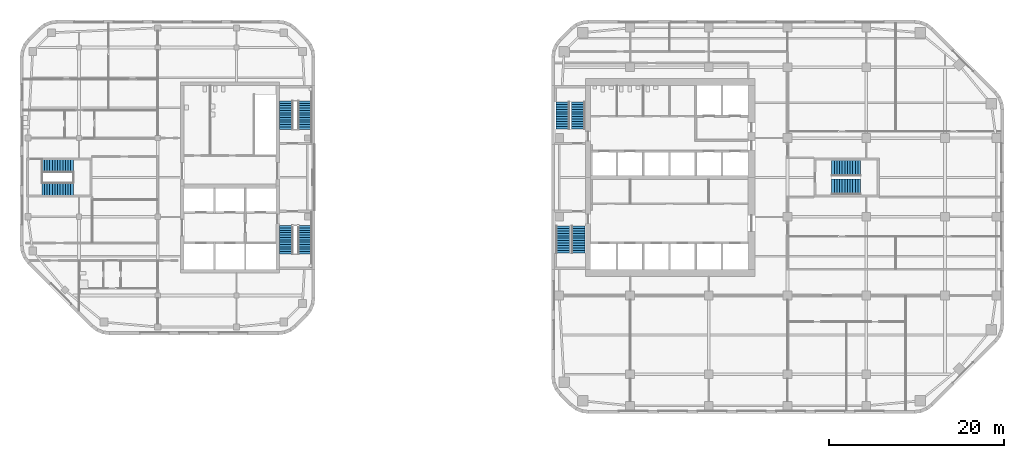
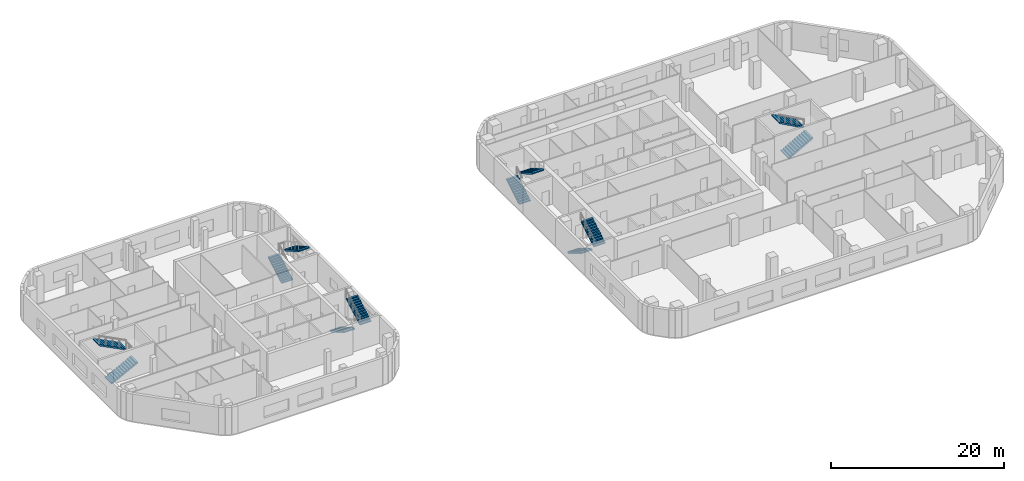
# One storey, part 11 of 14: 12 stair flights, 6 elements without a shape of their own.
"""IFC4 building model written with IfcOpenShell, lengths in metres."""

from ifc_helpers import new_model, si_unit, direction, frame, origin, place, context, subcontext, project, spatial, polyline, outline, extrude, material, type_object, element, aggregate, save


model = new_model("IFC4")

# Units and contexts
model_context = context("Model", 3, precision=1e-05, world=origin(), true_north=direction((0.0, 1.0)))
body_context = subcontext(model_context, "Body", "Model", "MODEL_VIEW")
ifc_project = project(units=[si_unit("LENGTHUNIT", "METRE"), si_unit("AREAUNIT", "SQUARE_METRE"), si_unit("VOLUMEUNIT", "CUBIC_METRE"), si_unit("PLANEANGLEUNIT", "RADIAN"), si_unit("MASSUNIT", "GRAM", prefix="KILO")], contexts=[model_context])

# Site, building, storey
site_placement = place(None, origin())
site = spatial("IfcSite", under=ifc_project, at=site_placement, CompositionType="ELEMENT")
building_placement = place(site_placement, origin())
building = spatial("IfcBuilding", under=site, at=building_placement, Name="Cinnabar Reach Civic Tower", CompositionType="ELEMENT")
storey_placement = place(building_placement, frame((0.0, 0.0, 116.0)))
storey = spatial("IfcBuildingStorey", under=building, at=storey_placement, Name="L27", CompositionType="ELEMENT", Elevation=116.0)

# Stair, stair flights
ifc_material_1 = material(Name="Concrete C40/50", Category="concrete")
stair_type_1 = type_object("IfcStairType", Name="T1 Exit stair, half-turn", PredefinedType="HALF_TURN_STAIR", material=ifc_material_1)
stair_1_placement = place(storey_placement, origin())
stair_1 = element("IfcStair", 1, at=stair_1_placement, inside=storey, type_object=stair_type_1, Name="Stair T1-S1", PredefinedType="HALF_TURN_STAIR")
stair_flight_type_1 = type_object("IfcStairFlightType", Name="T1 Stair flight, concrete", PredefinedType="STRAIGHT", material=ifc_material_1)
stair_flight_1_placement = place(storey_placement, frame((1.3125, 25.95, 0.0), z_axis=(0.0, 0.0, 1.0), x_axis=(0.0, -1.0, 0.0)))
stair_flight_1 = element("IfcStairFlight", 2, at=stair_flight_1_placement, type_object=stair_flight_type_1, Name="T1-S1 flight 1", NumberOfRisers=12, NumberOfTreads=11, PredefinedType="STRAIGHT", RiserHeight=0.166666667, TreadLength=0.28, context=body_context, shape_type="SweptSolid", body=[
    extrude(outline(polyline([(0.0, 0.0), (0.0, 0.1667), (0.28, 0.1667), (0.28, 0.3333), (0.56, 0.3333), (0.56, 0.5), (0.84, 0.5), (0.84, 0.6667), (1.12, 0.6667), (1.12, 0.8333), (1.4, 0.8333), (1.4, 1.0), (1.68, 1.0), (1.68, 1.1667), (1.96, 1.1667), (1.96, 1.3333), (2.24, 1.3333), (2.24, 1.5), (2.52, 1.5), (2.52, 1.6667), (2.8, 1.6667), (2.8, 1.8333), (3.08, 1.8333), (3.08, 2.0), (3.08, 1.6588), (0.2933, 0.0), (0.0, 0.0)])), frame((0.0, 0.7625, 0.0), z_axis=(0.0, -1.0, 0.0), x_axis=(1.0, 0.0, 0.0)), (0.0, 0.0, 1.0), 1.525),
])
stair_flight_2_placement = place(storey_placement, frame((3.0875, 22.87, 2.0), z_axis=(0.0, 0.0, 1.0), x_axis=(0.0, 1.0, 0.0)))
stair_flight_2 = element("IfcStairFlight", 3, at=stair_flight_2_placement, type_object=stair_flight_type_1, Name="T1-S1 flight 2", NumberOfRisers=12, NumberOfTreads=11, PredefinedType="STRAIGHT", RiserHeight=0.166666667, TreadLength=0.28, context=body_context, shape_type="SweptSolid", body=[
    extrude(outline(polyline([(0.0, 0.0), (0.0, 0.1667), (0.28, 0.1667), (0.28, 0.3333), (0.56, 0.3333), (0.56, 0.5), (0.84, 0.5), (0.84, 0.6667), (1.12, 0.6667), (1.12, 0.8333), (1.4, 0.8333), (1.4, 1.0), (1.68, 1.0), (1.68, 1.1667), (1.96, 1.1667), (1.96, 1.3333), (2.24, 1.3333), (2.24, 1.5), (2.52, 1.5), (2.52, 1.6667), (2.8, 1.6667), (2.8, 1.8333), (3.08, 1.8333), (3.08, 2.0), (3.08, 1.6588), (0.2933, 0.0), (0.0, 0.0)])), frame((0.0, 0.7625, 0.0), z_axis=(0.0, -1.0, 0.0), x_axis=(1.0, 0.0, 0.0)), (0.0, 0.0, 1.0), 1.525),
])
aggregate(stair_1, [stair_flight_1, stair_flight_2])

stair_2_placement = place(storey_placement, origin())
stair_2 = element("IfcStair", 4, at=stair_2_placement, inside=storey, type_object=stair_type_1, Name="Stair T1-S2", PredefinedType="HALF_TURN_STAIR")
stair_flight_3_placement = place(storey_placement, frame((1.3125, 37.05, 0.0), z_axis=(0.0, 0.0, 1.0), x_axis=(0.0, 1.0, 0.0)))
stair_flight_3 = element("IfcStairFlight", 5, at=stair_flight_3_placement, type_object=stair_flight_type_1, Name="T1-S2 flight 1", NumberOfRisers=12, NumberOfTreads=11, PredefinedType="STRAIGHT", RiserHeight=0.166666667, TreadLength=0.28, context=body_context, shape_type="SweptSolid", body=[
    extrude(outline(polyline([(0.0, 0.0), (0.0, 0.1667), (0.28, 0.1667), (0.28, 0.3333), (0.56, 0.3333), (0.56, 0.5), (0.84, 0.5), (0.84, 0.6667), (1.12, 0.6667), (1.12, 0.8333), (1.4, 0.8333), (1.4, 1.0), (1.68, 1.0), (1.68, 1.1667), (1.96, 1.1667), (1.96, 1.3333), (2.24, 1.3333), (2.24, 1.5), (2.52, 1.5), (2.52, 1.6667), (2.8, 1.6667), (2.8, 1.8333), (3.08, 1.8333), (3.08, 2.0), (3.08, 1.6588), (0.2933, 0.0), (0.0, 0.0)])), frame((0.0, 0.7625, 0.0), z_axis=(0.0, -1.0, 0.0), x_axis=(1.0, 0.0, 0.0)), (0.0, 0.0, 1.0), 1.525),
])
stair_flight_4_placement = place(storey_placement, frame((3.0875, 40.13, 2.0), z_axis=(0.0, 0.0, 1.0), x_axis=(0.0, -1.0, 0.0)))
stair_flight_4 = element("IfcStairFlight", 6, at=stair_flight_4_placement, type_object=stair_flight_type_1, Name="T1-S2 flight 2", NumberOfRisers=12, NumberOfTreads=11, PredefinedType="STRAIGHT", RiserHeight=0.166666667, TreadLength=0.28, context=body_context, shape_type="SweptSolid", body=[
    extrude(outline(polyline([(0.0, 0.0), (0.0, 0.1667), (0.28, 0.1667), (0.28, 0.3333), (0.56, 0.3333), (0.56, 0.5), (0.84, 0.5), (0.84, 0.6667), (1.12, 0.6667), (1.12, 0.8333), (1.4, 0.8333), (1.4, 1.0), (1.68, 1.0), (1.68, 1.1667), (1.96, 1.1667), (1.96, 1.3333), (2.24, 1.3333), (2.24, 1.5), (2.52, 1.5), (2.52, 1.6667), (2.8, 1.6667), (2.8, 1.8333), (3.08, 1.8333), (3.08, 2.0), (3.08, 1.6588), (0.2933, 0.0), (0.0, 0.0)])), frame((0.0, 0.7625, 0.0), z_axis=(0.0, -1.0, 0.0), x_axis=(1.0, 0.0, 0.0)), (0.0, 0.0, 1.0), 1.525),
])
aggregate(stair_2, [stair_flight_3, stair_flight_4])

stair_3_placement = place(storey_placement, origin())
stair_3 = element("IfcStair", 7, at=stair_3_placement, inside=storey, type_object=stair_type_1, Name="Stair T1-S3", PredefinedType="HALF_TURN_STAIR")
stair_flight_5_placement = place(storey_placement, frame((32.05, 30.45, 0.0), z_axis=(0.0, 0.0, 1.0), x_axis=(1.0, 0.0, 0.0)))
stair_flight_5 = element("IfcStairFlight", 8, at=stair_flight_5_placement, type_object=stair_flight_type_1, Name="T1-S3 flight 1", NumberOfRisers=12, NumberOfTreads=11, PredefinedType="STRAIGHT", RiserHeight=0.166666667, TreadLength=0.3, context=body_context, shape_type="SweptSolid", body=[
    extrude(outline(polyline([(0.0, 0.0), (0.0, 0.1667), (0.3, 0.1667), (0.3, 0.3333), (0.6, 0.3333), (0.6, 0.5), (0.9, 0.5), (0.9, 0.6667), (1.2, 0.6667), (1.2, 0.8333), (1.5, 0.8333), (1.5, 1.0), (1.8, 1.0), (1.8, 1.1667), (2.1, 1.1667), (2.1, 1.3333), (2.4, 1.3333), (2.4, 1.5), (2.7, 1.5), (2.7, 1.6667), (3.0, 1.6667), (3.0, 1.8333), (3.3, 1.8333), (3.3, 2.0), (3.3, 1.6617), (0.3089, 0.0), (0.0, 0.0)])), frame((0.0, 0.9, 0.0), z_axis=(0.0, -1.0, 0.0), x_axis=(1.0, 0.0, 0.0)), (0.0, 0.0, 1.0), 1.8),
])
stair_flight_6_placement = place(storey_placement, frame((35.35, 32.55, 2.0), z_axis=(0.0, 0.0, 1.0), x_axis=(-1.0, 0.0, 0.0)))
stair_flight_6 = element("IfcStairFlight", 9, at=stair_flight_6_placement, type_object=stair_flight_type_1, Name="T1-S3 flight 2", NumberOfRisers=12, NumberOfTreads=11, PredefinedType="STRAIGHT", RiserHeight=0.166666667, TreadLength=0.3, context=body_context, shape_type="SweptSolid", body=[
    extrude(outline(polyline([(0.0, 0.0), (0.0, 0.1667), (0.3, 0.1667), (0.3, 0.3333), (0.6, 0.3333), (0.6, 0.5), (0.9, 0.5), (0.9, 0.6667), (1.2, 0.6667), (1.2, 0.8333), (1.5, 0.8333), (1.5, 1.0), (1.8, 1.0), (1.8, 1.1667), (2.1, 1.1667), (2.1, 1.3333), (2.4, 1.3333), (2.4, 1.5), (2.7, 1.5), (2.7, 1.6667), (3.0, 1.6667), (3.0, 1.8333), (3.3, 1.8333), (3.3, 2.0), (3.3, 1.6617), (0.3089, 0.0), (0.0, 0.0)])), frame((0.0, 0.9, 0.0), z_axis=(0.0, -1.0, 0.0), x_axis=(1.0, 0.0, 0.0)), (0.0, 0.0, 1.0), 1.8),
])
aggregate(stair_3, [stair_flight_5, stair_flight_6])

ifc_material_2 = material(Name="Concrete C40", Category="concrete")
stair_type_2 = type_object("IfcStairType", Name="T2 Exit stair 1500", PredefinedType="HALF_TURN_STAIR", material=ifc_material_2)
stair_4_placement = place(storey_placement, origin())
stair_4 = element("IfcStair", 10, at=stair_4_placement, inside=storey, type_object=stair_type_2, Name="Exit stair 1", PredefinedType="HALF_TURN_STAIR")
stair_flight_type_2 = type_object("IfcStairFlightType", Name="T2 Stair flight 1500", PredefinedType="STRAIGHT", material=ifc_material_2)
stair_flight_7_placement = place(storey_placement, frame((-30.35, 26.0, 0.0), z_axis=(0.0, 0.0, 1.0), x_axis=(0.0, -1.0, 0.0)))
stair_flight_7 = element("IfcStairFlight", 11, at=stair_flight_7_placement, type_object=stair_flight_type_2, Name="ST1 flight 1", NumberOfRisers=13, NumberOfTreads=12, PredefinedType="STRAIGHT", RiserHeight=0.153846154, TreadLength=0.270833333, context=body_context, shape_type="SweptSolid", body=[
    extrude(outline(polyline([(0.0, 0.0), (0.0, 0.1538), (0.2708, 0.1538), (0.2708, 0.3077), (0.5417, 0.3077), (0.5417, 0.4615), (0.8125, 0.4615), (0.8125, 0.6154), (1.0833, 0.6154), (1.0833, 0.7692), (1.3542, 0.7692), (1.3542, 0.9231), (1.625, 0.9231), (1.625, 1.0769), (1.8958, 1.0769), (1.8958, 1.2308), (2.1667, 1.2308), (2.1667, 1.3846), (2.4375, 1.3846), (2.4375, 1.5385), (2.7083, 1.5385), (2.7083, 1.6923), (2.9792, 1.6923), (2.9792, 1.8462), (3.25, 1.8462), (3.25, 2.0), (3.25, 1.6736), (0.3037, 0.0), (0.0, 0.0)])), frame((0.0, 0.75, 0.0), z_axis=(0.0, -1.0, 0.0), x_axis=(1.0, 0.0, 0.0)), (0.0, 0.0, 1.0), 1.5),
])
stair_flight_8_placement = place(storey_placement, frame((-28.15, 22.75, 2.0), z_axis=(0.0, 0.0, 1.0), x_axis=(0.0, 1.0, 0.0)))
stair_flight_8 = element("IfcStairFlight", 12, at=stair_flight_8_placement, type_object=stair_flight_type_2, Name="ST1 flight 2", NumberOfRisers=13, NumberOfTreads=12, PredefinedType="STRAIGHT", RiserHeight=0.153846154, TreadLength=0.270833333, context=body_context, shape_type="SweptSolid", body=[
    extrude(outline(polyline([(0.0, 0.0), (0.0, 0.1538), (0.2708, 0.1538), (0.2708, 0.3077), (0.5417, 0.3077), (0.5417, 0.4615), (0.8125, 0.4615), (0.8125, 0.6154), (1.0833, 0.6154), (1.0833, 0.7692), (1.3542, 0.7692), (1.3542, 0.9231), (1.625, 0.9231), (1.625, 1.0769), (1.8958, 1.0769), (1.8958, 1.2308), (2.1667, 1.2308), (2.1667, 1.3846), (2.4375, 1.3846), (2.4375, 1.5385), (2.7083, 1.5385), (2.7083, 1.6923), (2.9792, 1.6923), (2.9792, 1.8462), (3.25, 1.8462), (3.25, 2.0), (3.25, 1.6736), (0.3037, 0.0), (0.0, 0.0)])), frame((0.0, 0.75, 0.0), z_axis=(0.0, -1.0, 0.0), x_axis=(1.0, 0.0, 0.0)), (0.0, 0.0, 1.0), 1.5),
])
aggregate(stair_4, [stair_flight_7, stair_flight_8])

stair_5_placement = place(storey_placement, origin())
stair_5 = element("IfcStair", 13, at=stair_5_placement, inside=storey, type_object=stair_type_2, Name="Exit stair 2", PredefinedType="HALF_TURN_STAIR")
stair_flight_9_placement = place(storey_placement, frame((-30.35, 37.0, 0.0), z_axis=(0.0, 0.0, 1.0), x_axis=(0.0, 1.0, 0.0)))
stair_flight_9 = element("IfcStairFlight", 14, at=stair_flight_9_placement, type_object=stair_flight_type_2, Name="ST2 flight 1", NumberOfRisers=13, NumberOfTreads=12, PredefinedType="STRAIGHT", RiserHeight=0.153846154, TreadLength=0.270833333, context=body_context, shape_type="SweptSolid", body=[
    extrude(outline(polyline([(0.0, 0.0), (0.0, 0.1538), (0.2708, 0.1538), (0.2708, 0.3077), (0.5417, 0.3077), (0.5417, 0.4615), (0.8125, 0.4615), (0.8125, 0.6154), (1.0833, 0.6154), (1.0833, 0.7692), (1.3542, 0.7692), (1.3542, 0.9231), (1.625, 0.9231), (1.625, 1.0769), (1.8958, 1.0769), (1.8958, 1.2308), (2.1667, 1.2308), (2.1667, 1.3846), (2.4375, 1.3846), (2.4375, 1.5385), (2.7083, 1.5385), (2.7083, 1.6923), (2.9792, 1.6923), (2.9792, 1.8462), (3.25, 1.8462), (3.25, 2.0), (3.25, 1.6736), (0.3037, 0.0), (0.0, 0.0)])), frame((0.0, 0.75, 0.0), z_axis=(0.0, -1.0, 0.0), x_axis=(1.0, 0.0, 0.0)), (0.0, 0.0, 1.0), 1.5),
])
stair_flight_10_placement = place(storey_placement, frame((-28.15, 40.25, 2.0), z_axis=(0.0, 0.0, 1.0), x_axis=(0.0, -1.0, 0.0)))
stair_flight_10 = element("IfcStairFlight", 15, at=stair_flight_10_placement, type_object=stair_flight_type_2, Name="ST2 flight 2", NumberOfRisers=13, NumberOfTreads=12, PredefinedType="STRAIGHT", RiserHeight=0.153846154, TreadLength=0.270833333, context=body_context, shape_type="SweptSolid", body=[
    extrude(outline(polyline([(0.0, 0.0), (0.0, 0.1538), (0.2708, 0.1538), (0.2708, 0.3077), (0.5417, 0.3077), (0.5417, 0.4615), (0.8125, 0.4615), (0.8125, 0.6154), (1.0833, 0.6154), (1.0833, 0.7692), (1.3542, 0.7692), (1.3542, 0.9231), (1.625, 0.9231), (1.625, 1.0769), (1.8958, 1.0769), (1.8958, 1.2308), (2.1667, 1.2308), (2.1667, 1.3846), (2.4375, 1.3846), (2.4375, 1.5385), (2.7083, 1.5385), (2.7083, 1.6923), (2.9792, 1.6923), (2.9792, 1.8462), (3.25, 1.8462), (3.25, 2.0), (3.25, 1.6736), (0.3037, 0.0), (0.0, 0.0)])), frame((0.0, 0.75, 0.0), z_axis=(0.0, -1.0, 0.0), x_axis=(1.0, 0.0, 0.0)), (0.0, 0.0, 1.0), 1.5),
])
aggregate(stair_5, [stair_flight_9, stair_flight_10])

stair_6_placement = place(storey_placement, origin())
stair_6 = element("IfcStair", 16, at=stair_6_placement, inside=storey, type_object=stair_type_2, Name="Exit stair 3", PredefinedType="HALF_TURN_STAIR")
stair_flight_11_placement = place(storey_placement, frame((-58.25, 30.125, 0.0), z_axis=(0.0, 0.0, 1.0), x_axis=(1.0, 0.0, 0.0)))
stair_flight_11 = element("IfcStairFlight", 17, at=stair_flight_11_placement, type_object=stair_flight_type_2, Name="ST3 flight 1", NumberOfRisers=13, NumberOfTreads=12, PredefinedType="STRAIGHT", RiserHeight=0.153846154, TreadLength=0.3, context=body_context, shape_type="SweptSolid", body=[
    extrude(outline(polyline([(0.0, 0.0), (0.0, 0.1538), (0.3, 0.1538), (0.3, 0.3077), (0.6, 0.3077), (0.6, 0.4615), (0.9, 0.4615), (0.9, 0.6154), (1.2, 0.6154), (1.2, 0.7692), (1.5, 0.7692), (1.5, 0.9231), (1.8, 0.9231), (1.8, 1.0769), (2.1, 1.0769), (2.1, 1.2308), (2.4, 1.2308), (2.4, 1.3846), (2.7, 1.3846), (2.7, 1.5385), (3.0, 1.5385), (3.0, 1.6923), (3.3, 1.6923), (3.3, 1.8462), (3.6, 1.8462), (3.6, 2.0), (3.6, 1.6776), (0.3287, 0.0), (0.0, 0.0)])), frame((0.0, 0.75, 0.0), z_axis=(0.0, -1.0, 0.0), x_axis=(1.0, 0.0, 0.0)), (0.0, 0.0, 1.0), 1.5),
])
stair_flight_12_placement = place(storey_placement, frame((-54.65, 32.875, 2.0), z_axis=(0.0, 0.0, 1.0), x_axis=(-1.0, 0.0, 0.0)))
stair_flight_12 = element("IfcStairFlight", 18, at=stair_flight_12_placement, type_object=stair_flight_type_2, Name="ST3 flight 2", NumberOfRisers=13, NumberOfTreads=12, PredefinedType="STRAIGHT", RiserHeight=0.153846154, TreadLength=0.3, context=body_context, shape_type="SweptSolid", body=[
    extrude(outline(polyline([(0.0, 0.0), (0.0, 0.1538), (0.3, 0.1538), (0.3, 0.3077), (0.6, 0.3077), (0.6, 0.4615), (0.9, 0.4615), (0.9, 0.6154), (1.2, 0.6154), (1.2, 0.7692), (1.5, 0.7692), (1.5, 0.9231), (1.8, 0.9231), (1.8, 1.0769), (2.1, 1.0769), (2.1, 1.2308), (2.4, 1.2308), (2.4, 1.3846), (2.7, 1.3846), (2.7, 1.5385), (3.0, 1.5385), (3.0, 1.6923), (3.3, 1.6923), (3.3, 1.8462), (3.6, 1.8462), (3.6, 2.0), (3.6, 1.6776), (0.3287, 0.0), (0.0, 0.0)])), frame((0.0, 0.75, 0.0), z_axis=(0.0, -1.0, 0.0), x_axis=(1.0, 0.0, 0.0)), (0.0, 0.0, 1.0), 1.5),
])
aggregate(stair_6, [stair_flight_11, stair_flight_12])

save(model, "model.ifc")
